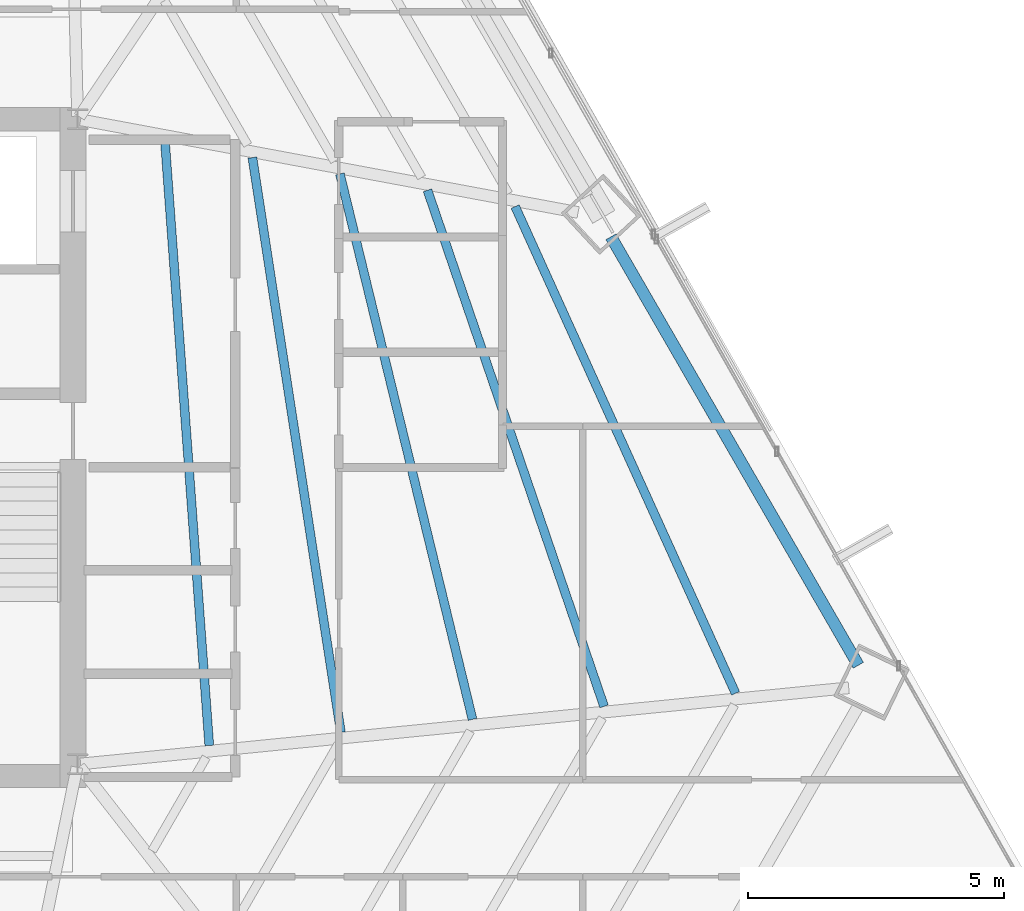
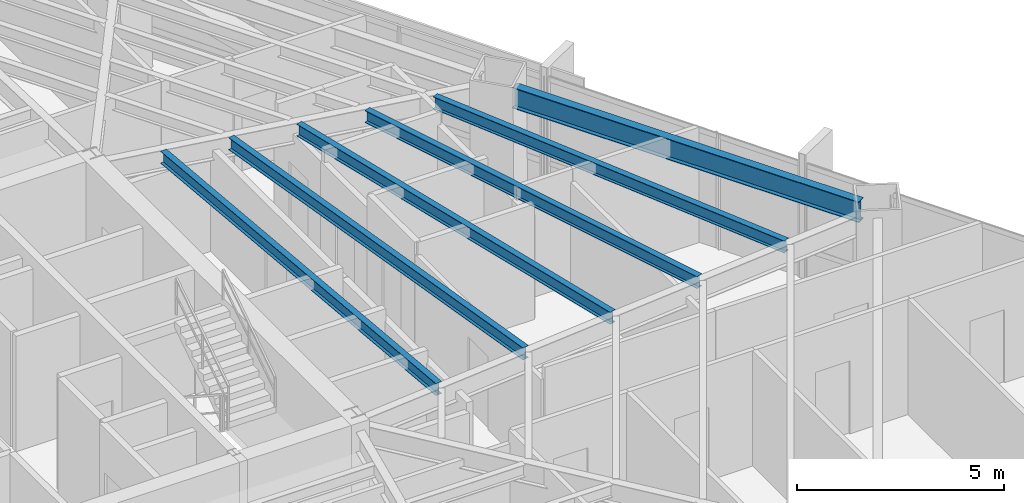
# One storey, part 21 of 37: 6 beams.
"""IFC4 building model written with IfcOpenShell, lengths in metres."""

from ifc_helpers import new_model, si_unit, direction, frame, origin, origin_2d, place, context, subcontext, project, spatial, i_section, extrude, source, transform, mapped, material, material_profile, profile_set, type_object, type_shapes, element, save


model = new_model("IFC4")

# Units and contexts
model_context = context("Model", 3, precision=1e-05, world=origin(), true_north=direction((0.0, 1.0)))
body_context = subcontext(model_context, "Body", "Model", "MODEL_VIEW")
ifc_project = project(units=[si_unit("LENGTHUNIT", "METRE"), si_unit("AREAUNIT", "SQUARE_METRE"), si_unit("VOLUMEUNIT", "CUBIC_METRE"), si_unit("PLANEANGLEUNIT", "RADIAN"), si_unit("MASSUNIT", "GRAM", prefix="KILO")], contexts=[model_context])

# Site, building, storey
site_placement = place(None, origin())
site = spatial("IfcSite", under=ifc_project, at=site_placement, CompositionType="ELEMENT")
building_placement = place(site_placement, origin())
building = spatial("IfcBuilding", under=site, at=building_placement, Name="Caelisora Broadcast Tower", CompositionType="ELEMENT")
storey_placement = place(building_placement, frame((0.0, 0.0, 116.35009765625)))
storey = spatial("IfcBuildingStorey", under=building, at=storey_placement, Name="L30", CompositionType="ELEMENT", Elevation=116.35009765625)

# Beams
ifc_material = material(Name="Steel Grade 350 (AS/NZS 3679.1)", Category="steel")
ifc_material_profile_1 = material_profile(ifc_material, i_section(OverallWidth=0.22900390625, OverallDepth=0.611572265625, WebThickness=0.011962890625, FlangeThickness=0.01953125, at=origin_2d()), Name="Steel Grade 350 (AS/NZS 3679.1)")
ifc_profile_set_1 = profile_set([ifc_material_profile_1], Name="Steel Grade 350 (AS/NZS 3679.1)")
beam_type_1 = type_object("IfcBeamType", Name="PG03", PredefinedType="BEAM", material=ifc_profile_set_1)
shared_shape_1 = source(origin(), body_context, "Body", "SweptSolid", [
    extrude(i_section(OverallWidth=0.22900390625, OverallDepth=0.611572265625, WebThickness=0.011962890625, FlangeThickness=0.01953125, at=origin_2d()), origin(), (0.0, 0.0, 1.0), 9.664794921875),
])
type_shapes(beam_type_1, [shared_shape_1])
beam_1_placement = place(storey_placement, frame((60.751220703125, 19.33349609375, 3.093994140625), z_axis=(-0.500013275555, 0.866017739004, 0.0), x_axis=(-0.866017739004, -0.500013275555, 0.0)))
element("IfcBeam", 1, at=beam_1_placement, inside=storey, type_object=beam_type_1, Name="L30 beam PG03", PredefinedType="BEAM", context=body_context, shape_type="MappedRepresentation", body=[
    mapped(shared_shape_1, transform((0.0, 0.0, 0.0), scale=1.0)),
])
ifc_material_profile_2 = material_profile(ifc_material, i_section(OverallWidth=0.172119140625, OverallDepth=0.358642578125, WebThickness=0.008056640625, FlangeThickness=0.012939453125, at=origin_2d()), Name="Steel Grade 350 (AS/NZS 3679.1)")
ifc_profile_set_2 = profile_set([ifc_material_profile_2], Name="Steel Grade 350 (AS/NZS 3679.1)")
beam_type_2 = type_object("IfcBeamType", Name="SB02", PredefinedType="JOIST", material=ifc_profile_set_2)
shared_shape_2 = source(origin(), body_context, "Body", "SweptSolid", [
    extrude(i_section(OverallWidth=0.172119140625, OverallDepth=0.358642578125, WebThickness=0.008056640625, FlangeThickness=0.012939453125, at=origin_2d()), origin(), (0.0, 0.0, 1.0), 11.834228515625),
])
beam_2_placement = place(storey_placement, frame((48.072021484375, 17.7666015625, 3.220703125), z_axis=(-0.073133793548, 0.99732213865, 0.0), x_axis=(-0.99732213865, -0.073133793548, 0.0)))
element("IfcBeam", 2, at=beam_2_placement, inside=storey, type_object=beam_type_2, Name="L30 beam SB02", PredefinedType="JOIST", context=body_context, shape_type="MappedRepresentation", body=[
    mapped(shared_shape_2, transform((0.0, 0.0, 0.0), scale=1.0)),
])
shared_shape_3 = source(origin(), body_context, "Body", "SweptSolid", [
    extrude(i_section(OverallWidth=0.172119140625, OverallDepth=0.358642578125, WebThickness=0.008056640625, FlangeThickness=0.012939453125, at=origin_2d()), origin(), (0.0, 0.0, 1.0), 11.361572265625),
])
beam_3_placement = place(storey_placement, frame((50.643310546875, 18.021484375, 3.220703125), z_axis=(-0.152179902198, 0.988352810168, 0.0), x_axis=(-0.988352810168, -0.152179902198, 0.0)))
element("IfcBeam", 3, at=beam_3_placement, inside=storey, type_object=beam_type_2, Name="L30 beam SB02", PredefinedType="JOIST", context=body_context, shape_type="MappedRepresentation", body=[
    mapped(shared_shape_3, transform((0.0, 0.0, 0.0), scale=1.0)),
])
shared_shape_4 = source(origin(), body_context, "Body", "SweptSolid", [
    extrude(i_section(OverallWidth=0.172119140625, OverallDepth=0.358642578125, WebThickness=0.008056640625, FlangeThickness=0.012939453125, at=origin_2d()), origin(), (0.0, 0.0, 1.0), 10.96630859375),
])
beam_4_placement = place(storey_placement, frame((53.214111328125, 18.276611328125, 3.220703125), z_axis=(-0.236255002602, 0.971691089671, 0.0), x_axis=(-0.971691089671, -0.236255002602, 0.0)))
element("IfcBeam", 4, at=beam_4_placement, inside=storey, type_object=beam_type_2, Name="L30 beam SB02", PredefinedType="JOIST", context=body_context, shape_type="MappedRepresentation", body=[
    mapped(shared_shape_4, transform((0.0, 0.0, 0.0), scale=1.0)),
])
shared_shape_5 = source(origin(), body_context, "Body", "SweptSolid", [
    extrude(i_section(OverallWidth=0.172119140625, OverallDepth=0.358642578125, WebThickness=0.008056640625, FlangeThickness=0.012939453125, at=origin_2d()), origin(), (0.0, 0.0, 1.0), 10.65576171875),
])
beam_5_placement = place(storey_placement, frame((55.78369140625, 18.531494140625, 3.220703125), z_axis=(-0.323737336441, 0.946146995447, 0.0), x_axis=(-0.946146995447, -0.323737336441, 0.0)))
element("IfcBeam", 5, at=beam_5_placement, inside=storey, type_object=beam_type_2, Name="L30 beam SB02", PredefinedType="JOIST", context=body_context, shape_type="MappedRepresentation", body=[
    mapped(shared_shape_5, transform((0.0, 0.0, 0.0), scale=1.0)),
])
shared_shape_6 = source(origin(), body_context, "Body", "SweptSolid", [
    extrude(i_section(OverallWidth=0.172119140625, OverallDepth=0.358642578125, WebThickness=0.008056640625, FlangeThickness=0.012939453125, at=origin_2d()), origin(), (0.0, 0.0, 1.0), 10.437255859375),
])
type_shapes(beam_type_2, [shared_shape_2, shared_shape_3, shared_shape_4, shared_shape_5, shared_shape_6])
beam_6_placement = place(storey_placement, frame((58.3525390625, 18.786376953125, 3.220703125), z_axis=(-0.412526597842, 0.910945556042, 0.0), x_axis=(-0.910945556042, -0.412526597842, 0.0)))
element("IfcBeam", 6, at=beam_6_placement, inside=storey, type_object=beam_type_2, Name="L30 beam SB02", PredefinedType="JOIST", context=body_context, shape_type="MappedRepresentation", body=[
    mapped(shared_shape_6, transform((0.0, 0.0, 0.0), scale=1.0)),
])

save(model, "model.ifc")
